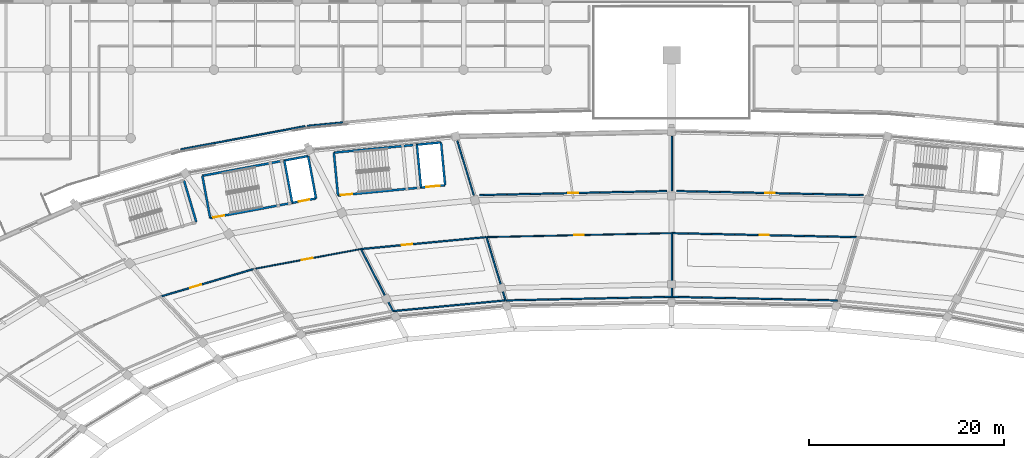
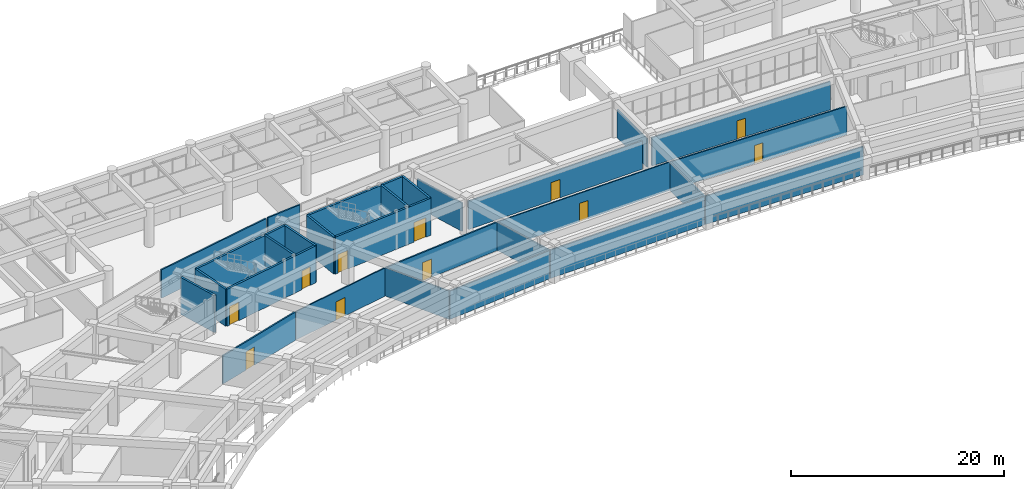
# One storey, part 109 of 145: 28 walls, 11 doors, 11 openings.
"""IFC4 building model written with IfcOpenShell, lengths in metres."""

from ifc_helpers import new_model, si_unit, direction, frame, frame_2d, origin, place, context, subcontext, project, spatial, rectangle, extrude, material, layer, layer_set, type_object, element, fill, save


model = new_model("IFC4")

# Units and contexts
model_context = context("Model", 3, precision=1e-05, world=origin(), true_north=direction((0.0, 1.0)))
body_context = subcontext(model_context, "Body", "Model", "MODEL_VIEW")
ifc_project = project(units=[si_unit("LENGTHUNIT", "METRE"), si_unit("AREAUNIT", "SQUARE_METRE"), si_unit("VOLUMEUNIT", "CUBIC_METRE"), si_unit("PLANEANGLEUNIT", "RADIAN"), si_unit("MASSUNIT", "GRAM", prefix="KILO")], contexts=[model_context])

# Site, building, storey
site_placement = place(None, origin())
site = spatial("IfcSite", under=ifc_project, at=site_placement, CompositionType="ELEMENT")
building_placement = place(site_placement, origin())
building = spatial("IfcBuilding", under=site, at=building_placement, Name="Mphavela Belvedere Stadium", CompositionType="ELEMENT")
storey_placement = place(building_placement, frame((0.0, 0.0, 10.199951171875)))
storey = spatial("IfcBuildingStorey", under=building, at=storey_placement, Name="L02", CompositionType="ELEMENT", Elevation=10.199951171875)

# Walls
ifc_material_1 = material(Name="Concrete C40/50", Category="concrete")
ifc_layer_1 = layer(ifc_material_1, 0.219970703125)
ifc_layer_set_1 = layer_set([ifc_layer_1], Name="Concrete C40/50")
wall_type_1 = type_object("IfcWallType", Name="WAL-CORE-SHEAR-220", PredefinedType="SHEAR", material=ifc_layer_set_1)
wall_1_placement = place(storey_placement, frame((66.955322265625, 156.146728515625, 0.0), z_axis=(0.0, 0.0, 1.0), x_axis=(0.983093434234, 0.183104613723, 0.0)))
element("IfcWall", 1, at=wall_1_placement, inside=storey, type_object=wall_type_1, Name="Core C02 shear wall L02 rear", PredefinedType="SHEAR", context=body_context, shape_type="SweptSolid", body=[
    extrude(rectangle(XDim=11.02001953125, YDim=0.219970703125, at=frame_2d((5.510009765625, 0.0))), origin(), (0.0, 0.0, 1.0), 4.25),
])
for number, where, z_axis, x_axis, name in (
    (2, (67.7626953125, 151.811279296875, 0.0), (0.0, 0.0, 1.0), (-0.183078394814, 0.983098317236, 0.0), "Core C02 shear wall L02 left"),
    (3, (78.596435546875, 153.8291015625, 0.0), (0.0, 0.0, 1.0), (-0.183078394814, 0.983098317236, 0.0), "Core C02 shear wall L02 right"),
):
    element("IfcWall", number, at=place(storey_placement, frame(where, z_axis=z_axis, x_axis=x_axis)), inside=storey, type_object=wall_type_1, Name=name, PredefinedType="SHEAR", context=body_context, shape_type="SweptSolid", body=[
        extrude(rectangle(XDim=4.409912109375, YDim=0.219970703125, at=frame_2d((2.205078125, 0.0))), origin(), (0.0, 0.0, 1.0), 4.25),
    ])

# Wall, openings, doors
wall_2_placement = place(storey_placement, frame((67.7626953125, 151.811279296875, 0.0), z_axis=(0.0, 0.0, 1.0), x_axis=(0.983093434234, 0.183104613723, 0.0)))
wall_2 = element("IfcWall", 4, at=wall_2_placement, inside=storey, type_object=wall_type_1, Name="Core C02 shear wall L02 front", PredefinedType="SHEAR", context=body_context, shape_type="SweptSolid", body=[
    extrude(rectangle(XDim=11.02001953125, YDim=0.219970703125, at=frame_2d((5.510009765625, 0.0))), origin(), (0.0, 0.0, 1.0), 4.25),
])
opening_1_placement = place(wall_2_placement, frame((0.300048828125, 0.0, 0.0)))
opening_1 = element("IfcOpeningElement", 5, at=opening_1_placement, cuts=wall_2, Name="Opening SD-008", PredefinedType="OPENING", context=body_context, shape_type="SweptSolid", body=[
    extrude(rectangle(XDim=1.14990234375, YDim=2.14990234375, at=frame_2d((0.574951171875, 1.074951171875))), frame((0.0, 0.1201171875, 0.0), z_axis=(0.0, -1.0, 0.0), x_axis=(1.0, 0.0, 0.0)), (0.0, 0.0, 1.0), 0.239990234375),
])
opening_2_placement = place(wall_2_placement, frame((9.22998046875, 0.0, 0.0)))
opening_2 = element("IfcOpeningElement", 6, at=opening_2_placement, cuts=wall_2, Name="Opening LD-008", PredefinedType="OPENING", context=body_context, shape_type="SweptSolid", body=[
    extrude(rectangle(XDim=1.10009765625, YDim=2.14990234375, at=frame_2d((0.550048828125, 1.074951171875))), frame((0.0, 0.1201171875, 0.0), z_axis=(0.0, -1.0, 0.0), x_axis=(1.0, 0.0, 0.0)), (0.0, 0.0, 1.0), 0.239990234375),
])
ifc_material_2 = material(Name="Stainless steel center-parting lift landing door", Category="steel")
door_type_1 = type_object("IfcDoorType", Name="DR-LIFT-SLIDE-1100", OperationType="NOTDEFINED", PredefinedType="DOOR", material=ifc_material_2)
door_1_placement = place(opening_2_placement, origin())
door_1 = element("IfcDoor", 7, at=door_1_placement, inside=storey, type_object=door_type_1, Name="Lift landing sliding door PL01 L02", OperationType="DOUBLE_DOOR_SLIDING", OverallHeight=2.14990234375, OverallWidth=1.10009765625, PredefinedType="DOOR", context=body_context, shape_type="SweptSolid", body=[
    extrude(rectangle(XDim=1.10009765625, YDim=2.14990234375, at=frame_2d((0.550048828125, 1.074951171875))), frame((0.0, 0.02490234375, 0.0), z_axis=(0.0, -1.0, 0.0), x_axis=(1.0, 0.0, 0.0)), (0.0, 0.0, 1.0), 0.050048828125),
])
fill(opening_2, door_1)
ifc_material_3 = material(Name="Steel acoustic fire-resisting stair doorset", Category="steel")
door_type_2 = type_object("IfcDoorType", Name="DR-STAIR-FIRE-1150", OperationType="NOTDEFINED", PredefinedType="DOOR", material=ifc_material_3)
door_2_placement = place(opening_1_placement, origin())
door_2 = element("IfcDoor", 8, at=door_2_placement, inside=storey, type_object=door_type_2, Name="Escape stair fire door C02 L02", OperationType="SINGLE_SWING_LEFT", OverallHeight=2.14990234375, OverallWidth=1.14990234375, PredefinedType="DOOR", context=body_context, shape_type="SweptSolid", body=[
    extrude(rectangle(XDim=1.14990234375, YDim=2.14990234375, at=frame_2d((0.574951171875, 1.074951171875))), frame((0.0, 0.02490234375, 0.0), z_axis=(0.0, -1.0, 0.0), x_axis=(1.0, 0.0, 0.0)), (0.0, 0.0, 1.0), 0.050048828125),
])
fill(opening_1, door_2)

# Walls
wall_3_placement = place(storey_placement, frame((76.158447265625, 153.375, 0.0), z_axis=(0.0, 0.0, 1.0), x_axis=(-0.183078394814, 0.983098317236, 0.0)))
element("IfcWall", 9, at=wall_3_placement, inside=storey, type_object=wall_type_1, Name="Core C02 shear wall L02 div", PredefinedType="SHEAR", context=body_context, shape_type="SweptSolid", body=[
    extrude(rectangle(XDim=4.409912109375, YDim=0.219970703125, at=frame_2d((2.205078125, 0.0))), origin(), (0.0, 0.0, 1.0), 4.25),
])
wall_4_placement = place(storey_placement, frame((80.424072265625, 158.5205078125, 0.0), z_axis=(0.0, 0.0, 1.0), x_axis=(0.99547962713, 0.094975322952, 0.0)))
element("IfcWall", 10, at=wall_4_placement, inside=storey, type_object=wall_type_1, Name="Core C04 shear wall L02 rear", PredefinedType="SHEAR", context=body_context, shape_type="SweptSolid", body=[
    extrude(rectangle(XDim=11.02001953125, YDim=0.219970703125, at=frame_2d((5.510009765625, 0.0))), origin(), (0.0, 0.0, 1.0), 4.25),
])
for number, where, z_axis, x_axis, name in (
    (11, (80.843017578125, 154.13037109375, 0.0), (0.0, 0.0, 1.0), (-0.094997189401, 0.995477540684, 0.0), "Core C04 shear wall L02 left"),
    (12, (91.81298828125, 155.177001953125, 0.0), (0.0, 0.0, 1.0), (-0.094942328893, 0.995482774429, 0.0), "Core C04 shear wall L02 right"),
):
    element("IfcWall", number, at=place(storey_placement, frame(where, z_axis=z_axis, x_axis=x_axis)), inside=storey, type_object=wall_type_1, Name=name, PredefinedType="SHEAR", context=body_context, shape_type="SweptSolid", body=[
        extrude(rectangle(XDim=4.41015625, YDim=0.219970703125, at=frame_2d((2.205078125, 0.0))), origin(), (0.0, 0.0, 1.0), 4.25),
    ])

# Wall, openings, doors
wall_5_placement = place(storey_placement, frame((80.843017578125, 154.13037109375, 0.0), z_axis=(0.0, 0.0, 1.0), x_axis=(0.995479427285, 0.094977417594, 0.0)))
wall_5 = element("IfcWall", 13, at=wall_5_placement, inside=storey, type_object=wall_type_1, Name="Core C04 shear wall L02 front", PredefinedType="SHEAR", context=body_context, shape_type="SweptSolid", body=[
    extrude(rectangle(XDim=11.019775390625, YDim=0.219970703125, at=frame_2d((5.509765625, 0.0))), origin(), (0.0, 0.0, 1.0), 4.25),
])
opening_3_placement = place(wall_5_placement, frame((0.300048828125, 0.0, 0.0)))
opening_3 = element("IfcOpeningElement", 14, at=opening_3_placement, cuts=wall_5, Name="Opening SD-018", PredefinedType="OPENING", context=body_context, shape_type="SweptSolid", body=[
    extrude(rectangle(XDim=1.14990234375, YDim=2.14990234375, at=frame_2d((0.574951171875, 1.074951171875))), frame((0.0, 0.1201171875, 0.0), z_axis=(0.0, -1.0, 0.0), x_axis=(1.0, 0.0, 0.0)), (0.0, 0.0, 1.0), 0.239990234375),
])
opening_4_placement = place(wall_5_placement, frame((9.080078125, 0.0, 0.0)))
opening_4 = element("IfcOpeningElement", 15, at=opening_4_placement, cuts=wall_5, Name="Opening LD-018", PredefinedType="OPENING", context=body_context, shape_type="SweptSolid", body=[
    extrude(rectangle(XDim=1.39990234375, YDim=2.25, at=frame_2d((0.699951171875, 1.125))), frame((0.0, 0.1201171875, 0.0), z_axis=(0.0, -1.0, 0.0), x_axis=(1.0, 0.0, 0.0)), (0.0, 0.0, 1.0), 0.239990234375),
])
ifc_material_4 = material(Name="Heavy-duty stainless steel goods lift landing door", Category="steel")
door_type_3 = type_object("IfcDoorType", Name="DR-LIFT-SLIDE-1400", OperationType="NOTDEFINED", PredefinedType="DOOR", material=ifc_material_4)
door_3_placement = place(opening_4_placement, origin())
door_3 = element("IfcDoor", 16, at=door_3_placement, inside=storey, type_object=door_type_3, Name="Lift landing sliding door GL01 L02", OperationType="DOUBLE_DOOR_SLIDING", OverallHeight=2.25, OverallWidth=1.39990234375, PredefinedType="DOOR", context=body_context, shape_type="SweptSolid", body=[
    extrude(rectangle(XDim=1.39990234375, YDim=2.25, at=frame_2d((0.699951171875, 1.125))), frame((0.0, 0.02490234375, 0.0), z_axis=(0.0, -1.0, 0.0), x_axis=(1.0, 0.0, 0.0)), (0.0, 0.0, 1.0), 0.050048828125),
])
fill(opening_4, door_3)
door_4_placement = place(opening_3_placement, origin())
door_4 = element("IfcDoor", 17, at=door_4_placement, inside=storey, type_object=door_type_2, Name="Escape stair fire door C04 L02", OperationType="SINGLE_SWING_RIGHT", OverallHeight=2.14990234375, OverallWidth=1.14990234375, PredefinedType="DOOR", context=body_context, shape_type="SweptSolid", body=[
    extrude(rectangle(XDim=1.14990234375, YDim=2.14990234375, at=frame_2d((0.574951171875, 1.074951171875))), frame((0.0, 0.02490234375, 0.0), z_axis=(0.0, -1.0, 0.0), x_axis=(1.0, 0.0, 0.0)), (0.0, 0.0, 1.0), 0.050048828125),
])
fill(opening_3, door_4)

# Walls
wall_6_placement = place(storey_placement, frame((89.34423828125, 154.94140625, 0.0), z_axis=(0.0, 0.0, 1.0), x_axis=(-0.094942328893, 0.995482774429, 0.0)))
element("IfcWall", 18, at=wall_6_placement, inside=storey, type_object=wall_type_1, Name="Core C04 shear wall L02 div", PredefinedType="SHEAR", context=body_context, shape_type="SweptSolid", body=[
    extrude(rectangle(XDim=4.41015625, YDim=0.219970703125, at=frame_2d((2.205078125, 0.0))), origin(), (0.0, 0.0, 1.0), 4.25),
])
wall_7_placement = place(storey_placement, frame((66.3369140625, 151.416015625, 0.0), z_axis=(0.0, 0.0, 1.0), x_axis=(-0.284497328872, 0.958676832861, 0.0)))
element("IfcWall", 19, at=wall_7_placement, inside=storey, type_object=wall_type_1, Name="Core P03 shear wall L02 right", PredefinedType="SHEAR", context=body_context, shape_type="SweptSolid", body=[
    extrude(rectangle(XDim=4.409912109375, YDim=0.219970703125, at=frame_2d((2.205078125, 0.0))), origin(), (0.0, 0.0, 1.0), 4.25),
])

# Wall, opening, door
ifc_material_5 = material(Name="Moisture-resistant sanitary partition assembly")
ifc_layer_2 = layer(ifc_material_5, 0.125)
ifc_layer_set_2 = layer_set([ifc_layer_2], Name="Moisture-resistant sanitary partition assembly")
wall_type_2 = type_object("IfcWallType", Name="WAL-PART-125", PredefinedType="PARTITIONING", material=ifc_layer_set_2)
wall_8_placement = place(storey_placement, frame((96.04736328125, 149.866455078125, 0.0), z_axis=(0.0, 0.0, 1.0), x_axis=(0.999768266483, 0.021527037261, 0.0)))
wall_8 = element("IfcWall", 20, at=wall_8_placement, inside=storey, type_object=wall_type_2, Name="Room L02-66 corridor partition", PredefinedType="PARTITIONING", context=body_context, shape_type="SweptSolid", body=[
    extrude(rectangle(XDim=18.9169921875, YDim=0.125, at=frame_2d((9.45849609375, 0.0))), origin(), (0.0, 0.0, 1.0), 3.25),
])
opening_5_placement = place(wall_8_placement, frame((8.968505859375, 0.0, 0.0)))
opening_5 = element("IfcOpeningElement", 21, at=opening_5_placement, cuts=wall_8, Name="Opening ID-183", PredefinedType="OPENING", context=body_context, shape_type="SweptSolid", body=[
    extrude(rectangle(XDim=0.97998046875, YDim=2.10009765625, at=frame_2d((0.489990234375, 1.050048828125))), frame((0.0, 0.072509765625, 0.0), z_axis=(0.0, -1.0, 0.0), x_axis=(1.0, 0.0, 0.0)), (0.0, 0.0, 1.0), 0.14501953125),
])
ifc_material_6 = material(Name="Hardwood acoustic timber doorset", Category="wood")
door_type_4 = type_object("IfcDoorType", Name="DR-INT-03", OperationType="NOTDEFINED", PredefinedType="DOOR", material=ifc_material_6)
door_5_placement = place(opening_5_placement, origin())
door_5 = element("IfcDoor", 22, at=door_5_placement, inside=storey, type_object=door_type_4, Name="Room L02-66 entrance door ID-183", OperationType="SINGLE_SWING_LEFT", OverallHeight=2.10009765625, OverallWidth=0.97998046875, PredefinedType="DOOR", context=body_context, shape_type="SweptSolid", body=[
    extrude(rectangle(XDim=0.97998046875, YDim=2.10009765625, at=frame_2d((0.489990234375, 1.050048828125))), frame((0.0, 0.02490234375, 0.0), z_axis=(0.0, -1.0, 0.0), x_axis=(1.0, 0.0, 0.0)), (0.0, 0.0, 1.0), 0.050048828125),
])
fill(opening_5, door_5)

wall_9_placement = place(storey_placement, frame((72.268310546875, 146.6142578125, 0.0), z_axis=(0.0, 0.0, 1.0), x_axis=(0.983097372707, 0.183083466695, 0.0)))
wall_9 = element("IfcWall", 23, at=wall_9_placement, inside=storey, type_object=wall_type_2, Name="Room L02-71 corridor partition", PredefinedType="PARTITIONING", context=body_context, shape_type="SweptSolid", body=[
    extrude(rectangle(XDim=11.03466796875, YDim=0.125, at=frame_2d((5.517333984375, 0.0))), origin(), (0.0, 0.0, 1.0), 3.25),
])
opening_6_placement = place(wall_9_placement, frame((4.96728515625, 0.0, 0.0)))
opening_6 = element("IfcOpeningElement", 24, at=opening_6_placement, cuts=wall_9, Name="Opening ID-186", PredefinedType="OPENING", context=body_context, shape_type="SweptSolid", body=[
    extrude(rectangle(XDim=1.10009765625, YDim=2.10009765625, at=frame_2d((0.550048828125, 1.050048828125))), frame((0.0, 0.072509765625, 0.0), z_axis=(0.0, -1.0, 0.0), x_axis=(1.0, 0.0, 0.0)), (0.0, 0.0, 1.0), 0.14501953125),
])
ifc_material_7 = material(Name="Hardwood acoustic timber doorset", Category="wood")
door_type_5 = type_object("IfcDoorType", Name="DR-INT-06", OperationType="NOTDEFINED", PredefinedType="DOOR", material=ifc_material_7)
door_6_placement = place(opening_6_placement, origin())
door_6 = element("IfcDoor", 25, at=door_6_placement, inside=storey, type_object=door_type_5, Name="Room L02-71 entrance door ID-186", OperationType="SINGLE_SWING_RIGHT", OverallHeight=2.10009765625, OverallWidth=1.10009765625, PredefinedType="DOOR", context=body_context, shape_type="SweptSolid", body=[
    extrude(rectangle(XDim=1.10009765625, YDim=2.10009765625, at=frame_2d((0.550048828125, 1.050048828125))), frame((0.0, 0.02490234375, 0.0), z_axis=(0.0, -1.0, 0.0), x_axis=(1.0, 0.0, 0.0)), (0.0, 0.0, 1.0), 0.050048828125),
])
fill(opening_6, door_6)

ifc_material_8 = material(Name="Acoustic gypsum stud partition assembly")
ifc_layer_3 = layer(ifc_material_8, 0.14990234375)
ifc_layer_set_3 = layer_set([ifc_layer_3], Name="Acoustic gypsum stud partition assembly")
wall_type_3 = type_object("IfcWallType", Name="WAL-PART-150", PredefinedType="PARTITIONING", material=ifc_layer_set_3)
wall_10_placement = place(storey_placement, frame((115.0400390625, 150.273681640625, 0.0), z_axis=(0.0, 0.0, 1.0), x_axis=(0.999768266483, -0.021527037261, 0.0)))
wall_10 = element("IfcWall", 26, at=wall_10_placement, inside=storey, type_object=wall_type_3, Name="Room L02-63 corridor partition", PredefinedType="PARTITIONING", context=body_context, shape_type="SweptSolid", body=[
    extrude(rectangle(XDim=18.9169921875, YDim=0.14990234375, at=frame_2d((9.45849609375, 0.0))), origin(), (0.0, 0.0, 1.0), 3.25),
])
opening_7_placement = place(wall_10_placement, frame((9.008544921875, 0.0, 0.0)))
opening_7 = element("IfcOpeningElement", 27, at=opening_7_placement, cuts=wall_10, Name="Opening ID-181", PredefinedType="OPENING", context=body_context, shape_type="SweptSolid", body=[
    extrude(rectangle(XDim=0.89990234375, YDim=2.10009765625, at=frame_2d((0.449951171875, 1.050048828125))), frame((0.0, 0.0849609375, 0.0), z_axis=(0.0, -1.0, 0.0), x_axis=(1.0, 0.0, 0.0)), (0.0, 0.0, 1.0), 0.169921875),
])
ifc_material_9 = material(Name="Hardwood acoustic timber doorset", Category="wood")
door_type_6 = type_object("IfcDoorType", Name="DR-INT-01", OperationType="NOTDEFINED", PredefinedType="DOOR", material=ifc_material_9)
door_7_placement = place(opening_7_placement, origin())
door_7 = element("IfcDoor", 28, at=door_7_placement, inside=storey, type_object=door_type_6, Name="Room L02-63 entrance door ID-181", OperationType="SINGLE_SWING_LEFT", OverallHeight=2.10009765625, OverallWidth=0.89990234375, PredefinedType="DOOR", context=body_context, shape_type="SweptSolid", body=[
    extrude(rectangle(XDim=0.89990234375, YDim=2.10009765625, at=frame_2d((0.449951171875, 1.050048828125))), frame((0.0, 0.02490234375, 0.0), z_axis=(0.0, -1.0, 0.0), x_axis=(1.0, 0.0, 0.0)), (0.0, 0.0, 1.0), 0.050048828125),
])
fill(opening_7, door_7)

wall_11_placement = place(storey_placement, frame((134.64404296875, 154.1708984375, 0.0), z_axis=(0.0, 0.0, 1.0), x_axis=(-0.999768107727, 0.021534409017, 0.0)))
wall_11 = element("IfcWall", 29, at=wall_11_placement, inside=storey, type_object=wall_type_3, Name="Room L02-64 corridor partition", PredefinedType="PARTITIONING", context=body_context, shape_type="SweptSolid", body=[
    extrude(rectangle(XDim=19.13720703125, YDim=0.14990234375, at=frame_2d((9.568603515625, 0.0))), origin(), (0.0, 0.0, 1.0), 3.25),
])
opening_8_placement = place(wall_11_placement, frame((9.0986328125, 0.0, 0.0)))
opening_8 = element("IfcOpeningElement", 30, at=opening_8_placement, cuts=wall_11, Name="Opening ID-182", PredefinedType="OPENING", context=body_context, shape_type="SweptSolid", body=[
    extrude(rectangle(XDim=0.93994140625, YDim=2.10009765625, at=frame_2d((0.469970703125, 1.050048828125))), frame((0.0, 0.0849609375, 0.0), z_axis=(0.0, -1.0, 0.0), x_axis=(1.0, 0.0, 0.0)), (0.0, 0.0, 1.0), 0.169921875),
])
ifc_material_10 = material(Name="Hardwood acoustic timber doorset", Category="wood")
door_type_7 = type_object("IfcDoorType", Name="DR-INT-02", OperationType="NOTDEFINED", PredefinedType="DOOR", material=ifc_material_10)
door_8_placement = place(opening_8_placement, origin())
door_8 = element("IfcDoor", 31, at=door_8_placement, inside=storey, type_object=door_type_7, Name="Room L02-64 entrance door ID-182", OperationType="SINGLE_SWING_RIGHT", OverallHeight=2.10009765625, OverallWidth=0.93994140625, PredefinedType="DOOR", context=body_context, shape_type="SweptSolid", body=[
    extrude(rectangle(XDim=0.93994140625, YDim=2.10009765625, at=frame_2d((0.469970703125, 1.050048828125))), frame((0.0, 0.02490234375, 0.0), z_axis=(0.0, -1.0, 0.0), x_axis=(1.0, 0.0, 0.0)), (0.0, 0.0, 1.0), 0.050048828125),
])
fill(opening_8, door_8)

wall_12_placement = place(storey_placement, frame((114.48876953125, 154.5830078125, 0.0), z_axis=(0.0, 0.0, 1.0), x_axis=(-0.999768107727, -0.021534409017, 0.0)))
wall_12 = element("IfcWall", 32, at=wall_12_placement, inside=storey, type_object=wall_type_3, Name="Room L02-67 corridor partition", PredefinedType="PARTITIONING", context=body_context, shape_type="SweptSolid", body=[
    extrude(rectangle(XDim=19.13720703125, YDim=0.14990234375, at=frame_2d((9.568603515625, 0.0))), origin(), (0.0, 0.0, 1.0), 3.25),
])
opening_9_placement = place(wall_12_placement, frame((9.05859375, 0.0, 0.0)))
opening_9 = element("IfcOpeningElement", 33, at=opening_9_placement, cuts=wall_12, Name="Opening ID-184", PredefinedType="OPENING", context=body_context, shape_type="SweptSolid", body=[
    extrude(rectangle(XDim=1.02001953125, YDim=2.10009765625, at=frame_2d((0.510009765625, 1.050048828125))), frame((0.0, 0.0849609375, 0.0), z_axis=(0.0, -1.0, 0.0), x_axis=(1.0, 0.0, 0.0)), (0.0, 0.0, 1.0), 0.169921875),
])
ifc_material_11 = material(Name="Hardwood acoustic timber doorset", Category="wood")
door_type_8 = type_object("IfcDoorType", Name="DR-INT-04", OperationType="NOTDEFINED", PredefinedType="DOOR", material=ifc_material_11)
door_9_placement = place(opening_9_placement, origin())
door_9 = element("IfcDoor", 34, at=door_9_placement, inside=storey, type_object=door_type_8, Name="Room L02-67 entrance door ID-184", OperationType="SINGLE_SWING_RIGHT", OverallHeight=2.10009765625, OverallWidth=1.02001953125, PredefinedType="DOOR", context=body_context, shape_type="SweptSolid", body=[
    extrude(rectangle(XDim=1.02001953125, YDim=2.10009765625, at=frame_2d((0.510009765625, 1.050048828125))), frame((0.0, 0.02490234375, 0.0), z_axis=(0.0, -1.0, 0.0), x_axis=(1.0, 0.0, 0.0)), (0.0, 0.0, 1.0), 0.050048828125),
])
fill(opening_9, door_9)

wall_13_placement = place(storey_placement, frame((83.200927734375, 148.645263671875, 0.0), z_axis=(0.0, 0.0, 1.0), x_axis=(0.995485111947, 0.094917816515, 0.0)))
wall_13 = element("IfcWall", 35, at=wall_13_placement, inside=storey, type_object=wall_type_3, Name="Room L02-69 corridor partition", PredefinedType="PARTITIONING", context=body_context, shape_type="SweptSolid", body=[
    extrude(rectangle(XDim=12.822021484375, YDim=0.14990234375, at=frame_2d((6.4111328125, 0.0))), origin(), (0.0, 0.0, 1.0), 3.25),
])
opening_10_placement = place(wall_13_placement, frame((4.212646484375, 0.0, 0.0)))
opening_10 = element("IfcOpeningElement", 36, at=opening_10_placement, cuts=wall_13, Name="Opening ID-185", PredefinedType="OPENING", context=body_context, shape_type="SweptSolid", body=[
    extrude(rectangle(XDim=1.06005859375, YDim=2.10009765625, at=frame_2d((0.530029296875, 1.050048828125))), frame((0.0, 0.0849609375, 0.0), z_axis=(0.0, -1.0, 0.0), x_axis=(1.0, 0.0, 0.0)), (0.0, 0.0, 1.0), 0.169921875),
])
ifc_material_12 = material(Name="Hardwood acoustic timber doorset", Category="wood")
door_type_9 = type_object("IfcDoorType", Name="DR-INT-05", OperationType="NOTDEFINED", PredefinedType="DOOR", material=ifc_material_12)
door_10_placement = place(opening_10_placement, origin())
door_10 = element("IfcDoor", 37, at=door_10_placement, inside=storey, type_object=door_type_9, Name="Room L02-69 entrance door ID-185", OperationType="SINGLE_SWING_LEFT", OverallHeight=2.10009765625, OverallWidth=1.06005859375, PredefinedType="DOOR", context=body_context, shape_type="SweptSolid", body=[
    extrude(rectangle(XDim=1.06005859375, YDim=2.10009765625, at=frame_2d((0.530029296875, 1.050048828125))), frame((0.0, 0.02490234375, 0.0), z_axis=(0.0, -1.0, 0.0), x_axis=(1.0, 0.0, 0.0)), (0.0, 0.0, 1.0), 0.050048828125),
])
fill(opening_10, door_10)

wall_14_placement = place(storey_placement, frame((62.701171875, 143.781005859375, 0.0), z_axis=(0.0, 0.0, 1.0), x_axis=(0.958655809656, 0.284568161629, 0.0)))
wall_14 = element("IfcWall", 38, at=wall_14_placement, inside=storey, type_object=wall_type_3, Name="Room L02-73 corridor partition", PredefinedType="PARTITIONING", context=body_context, shape_type="SweptSolid", body=[
    extrude(rectangle(XDim=9.89111328125, YDim=0.14990234375, at=frame_2d((4.945556640625, 0.0))), origin(), (0.0, 0.0, 1.0), 3.25),
])
opening_11_placement = place(wall_14_placement, frame((3.158935546875, 0.0, 0.0)))
opening_11 = element("IfcOpeningElement", 39, at=opening_11_placement, cuts=wall_14, Name="Opening ID-187", PredefinedType="OPENING", context=body_context, shape_type="SweptSolid", body=[
    extrude(rectangle(XDim=1.139892578125, YDim=2.10009765625, at=frame_2d((0.56982421875, 1.050048828125))), frame((0.0, 0.0849609375, 0.0), z_axis=(0.0, -1.0, 0.0), x_axis=(1.0, 0.0, 0.0)), (0.0, 0.0, 1.0), 0.169921875),
])
ifc_material_13 = material(Name="Hardwood acoustic timber doorset", Category="wood")
door_type_10 = type_object("IfcDoorType", Name="DR-INT-07", OperationType="NOTDEFINED", PredefinedType="DOOR", material=ifc_material_13)
door_11_placement = place(opening_11_placement, origin())
door_11 = element("IfcDoor", 40, at=door_11_placement, inside=storey, type_object=door_type_10, Name="Room L02-73 entrance door ID-187", OperationType="SINGLE_SWING_LEFT", OverallHeight=2.10009765625, OverallWidth=1.139892578125, PredefinedType="DOOR", context=body_context, shape_type="SweptSolid", body=[
    extrude(rectangle(XDim=1.139892578125, YDim=2.10009765625, at=frame_2d((0.56982421875, 1.050048828125))), frame((0.0, 0.02490234375, 0.0), z_axis=(0.0, -1.0, 0.0), x_axis=(1.0, 0.0, 0.0)), (0.0, 0.0, 1.0), 0.050048828125),
])
fill(opening_11, door_11)

# Walls
wall_15_placement = place(storey_placement, frame((131.99462890625, 143.385986328125, 0.0), z_axis=(0.0, 0.0, 1.0), x_axis=(-0.99976805362, 0.021536920891, 0.0)))
element("IfcWall", 41, at=wall_15_placement, inside=storey, type_object=wall_type_3, Name="Room divider partition L02-0323", PredefinedType="PARTITIONING", context=body_context, shape_type="SweptSolid", body=[
    extrude(rectangle(XDim=16.95849609375, YDim=0.14990234375, at=frame_2d((8.479248046875, 0.0))), origin(), (0.0, 0.0, 1.0), 3.25),
])
wall_16_placement = place(storey_placement, frame((115.0400390625, 143.751220703125, 0.0), z_axis=(0.0, 0.0, 1.0), x_axis=(0.0, 1.0, 0.0)))
element("IfcWall", 42, at=wall_16_placement, inside=storey, type_object=wall_type_3, Name="Room divider partition L02-0324", PredefinedType="PARTITIONING", context=body_context, shape_type="SweptSolid", body=[
    extrude(rectangle(XDim=6.5224609375, YDim=0.14990234375, at=frame_2d((3.26123046875, 0.0))), origin(), (0.0, 0.0, 1.0), 3.25),
])
wall_17_placement = place(storey_placement, frame((115.0400390625, 154.593017578125, 0.0), z_axis=(0.0, 0.0, 1.0), x_axis=(0.0, 1.0, 0.0)))
element("IfcWall", 43, at=wall_17_placement, inside=storey, type_object=wall_type_3, Name="Room divider partition L02-0325", PredefinedType="PARTITIONING", context=body_context, shape_type="SweptSolid", body=[
    extrude(rectangle(XDim=5.576904296875, YDim=0.14990234375, at=frame_2d((2.78857421875, 0.0))), origin(), (0.0, 0.0, 1.0), 3.25),
])
wall_18_placement = place(storey_placement, frame((114.9599609375, 143.751220703125, 0.0), z_axis=(0.0, 0.0, 1.0), x_axis=(-0.99976805362, -0.021536920891, 0.0)))
element("IfcWall", 44, at=wall_18_placement, inside=storey, type_object=wall_type_3, Name="Room divider partition L02-0327", PredefinedType="PARTITIONING", context=body_context, shape_type="SweptSolid", body=[
    extrude(rectangle(XDim=16.95849609375, YDim=0.14990234375, at=frame_2d((8.479248046875, 0.0))), origin(), (0.0, 0.0, 1.0), 3.25),
])
wall_19_placement = place(storey_placement, frame((98.00537109375, 143.385986328125, 0.0), z_axis=(0.0, 0.0, 1.0), x_axis=(-0.289226587364, 0.957260665212, 0.0)))
element("IfcWall", 45, at=wall_19_placement, inside=storey, type_object=wall_type_3, Name="Room divider partition L02-0328", PredefinedType="PARTITIONING", context=body_context, shape_type="SweptSolid", body=[
    extrude(rectangle(XDim=6.769775390625, YDim=0.14990234375, at=frame_2d((3.384765625, 0.0))), origin(), (0.0, 0.0, 1.0), 3.25),
])
wall_20_placement = place(storey_placement, frame((94.750732421875, 154.157958984375, 0.0), z_axis=(0.0, 0.0, 1.0), x_axis=(-0.289195444178, 0.957270074256, 0.0)))
element("IfcWall", 46, at=wall_20_placement, inside=storey, type_object=wall_type_3, Name="Room divider partition L02-0329", PredefinedType="PARTITIONING", context=body_context, shape_type="SweptSolid", body=[
    extrude(rectangle(XDim=5.8173828125, YDim=0.14990234375, at=frame_2d((2.90869140625, 0.0))), origin(), (0.0, 0.0, 1.0), 3.25),
])
wall_21_placement = place(storey_placement, frame((97.923583984375, 143.380615234375, 0.0), z_axis=(0.0, 0.0, 1.0), x_axis=(-0.995484580871, -0.094923386203, 0.0)))
element("IfcWall", 47, at=wall_21_placement, inside=storey, type_object=wall_type_3, Name="Room divider partition L02-0330", PredefinedType="PARTITIONING", context=body_context, shape_type="SweptSolid", body=[
    extrude(rectangle(XDim=11.49169921875, YDim=0.14990234375, at=frame_2d((5.745849609375, 0.0))), origin(), (0.0, 0.0, 1.0), 3.25),
])
wall_22_placement = place(storey_placement, frame((86.48388671875, 142.289794921875, 0.0), z_axis=(0.0, 0.0, 1.0), x_axis=(-0.458942826051, 0.888465802615, 0.0)))
element("IfcWall", 48, at=wall_22_placement, inside=storey, type_object=wall_type_3, Name="Room divider partition L02-0331", PredefinedType="PARTITIONING", context=body_context, shape_type="SweptSolid", body=[
    extrude(rectangle(XDim=7.1533203125, YDim=0.14990234375, at=frame_2d((3.57666015625, 0.0))), origin(), (0.0, 0.0, 1.0), 3.25),
])
wall_23_placement = place(storey_placement, frame((77.469482421875, 161.22509765625, 0.0), z_axis=(0.0, 0.0, 1.0), x_axis=(-0.983094545276, -0.183098648406, 0.0)))
element("IfcWall", 49, at=wall_23_placement, inside=storey, type_object=wall_type_3, Name="Room divider partition L02-1020", PredefinedType="PARTITIONING", context=body_context, shape_type="SweptSolid", body=[
    extrude(rectangle(XDim=12.947265625, YDim=0.14990234375, at=frame_2d((6.4736328125, 0.0))), origin(), (0.0, 0.0, 1.0), 3.25),
])
wall_24_placement = place(storey_placement, frame((81.35498046875, 161.605712890625, 0.0), z_axis=(0.0, 0.0, 1.0), x_axis=(-0.995481155674, -0.094959300221, 0.0)))
element("IfcWall", 50, at=wall_24_placement, inside=storey, type_object=wall_type_3, Name="Room divider partition L02-1024", PredefinedType="PARTITIONING", context=body_context, shape_type="SweptSolid", body=[
    extrude(rectangle(XDim=3.681640625, YDim=0.14990234375, at=frame_2d((1.8408203125, 0.0))), origin(), (0.0, 0.0, 1.0), 3.25),
])

save(model, "model.ifc")
